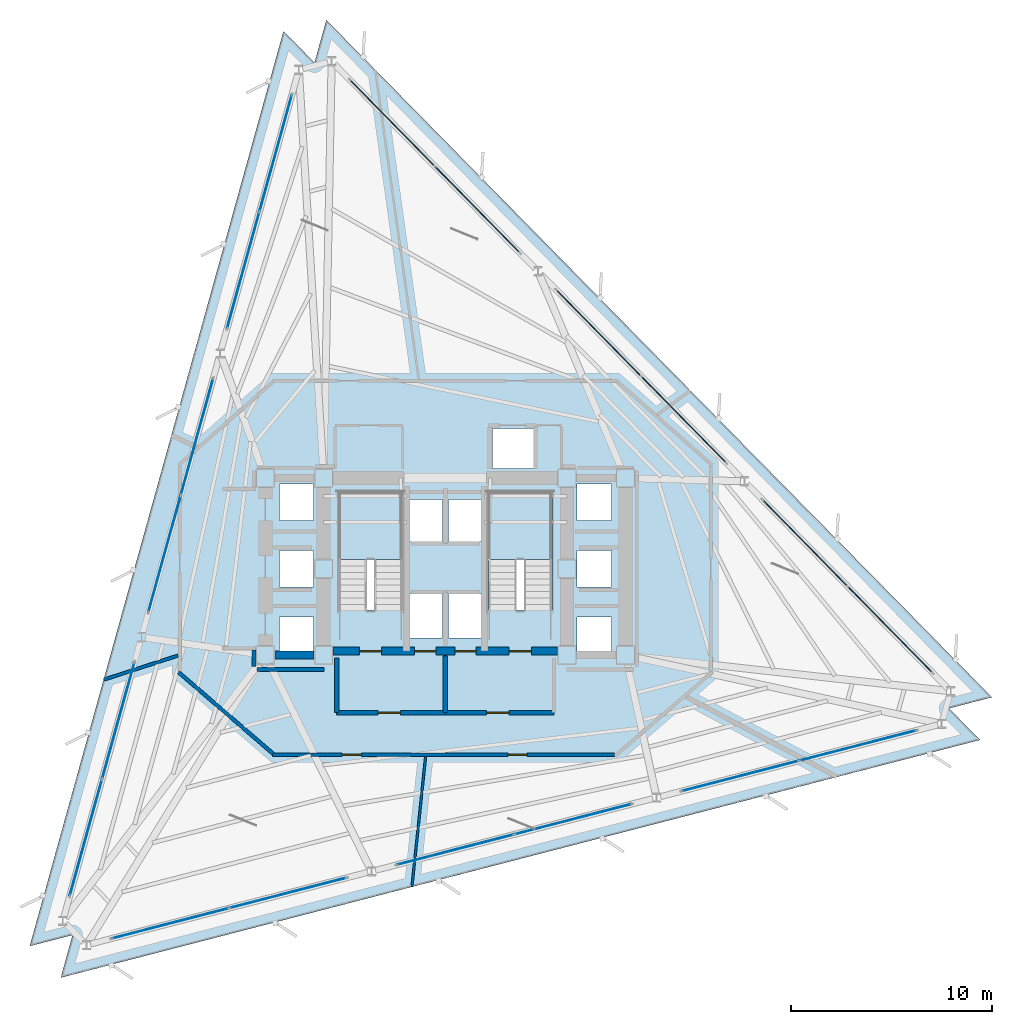
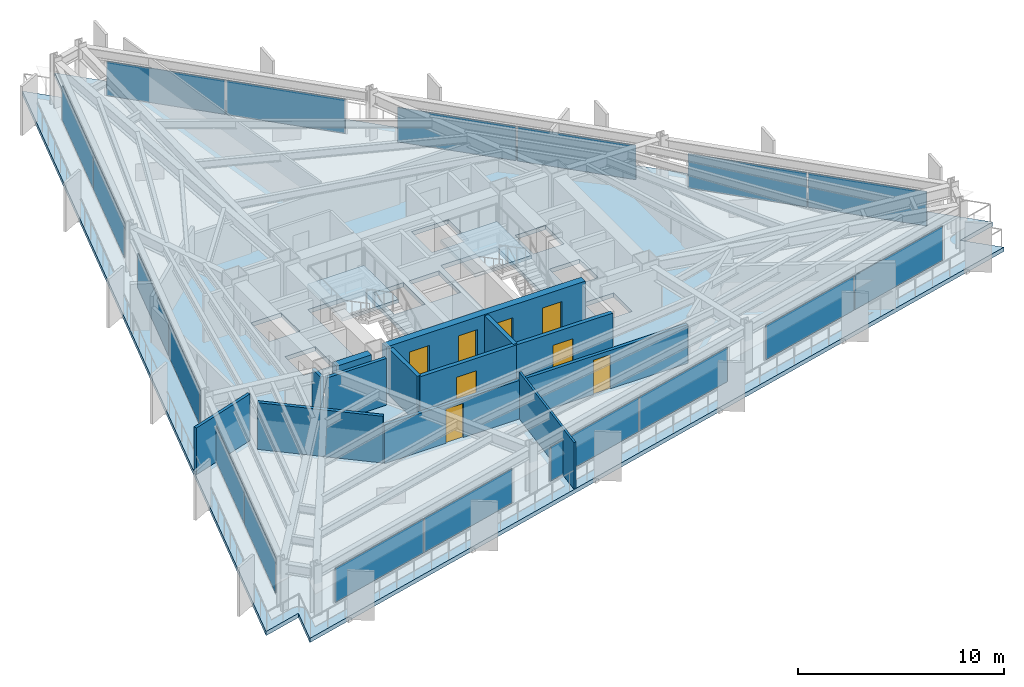
# One storey, part 6 of 11: 18 plates, 12 walls, 8 doors, 3 slabs, 8 openings, 11 elements without a shape of their own.
"""IFC4 building model written with IfcOpenShell, lengths in metres."""

from ifc_helpers import new_model, si_unit, direction, frame, frame_2d, origin, origin_2d, place, context, subcontext, project, spatial, polyline, rectangle, outline, extrude, material, layer, layer_set, type_object, element, fill, aggregate, save


model = new_model("IFC4")

# Units and contexts
model_context = context("Model", 3, precision=1e-05, world=origin(), true_north=direction((0.0, 1.0)))
body_context = subcontext(model_context, "Body", "Model", "MODEL_VIEW")
ifc_project = project(units=[si_unit("LENGTHUNIT", "METRE"), si_unit("AREAUNIT", "SQUARE_METRE"), si_unit("VOLUMEUNIT", "CUBIC_METRE"), si_unit("PLANEANGLEUNIT", "RADIAN"), si_unit("MASSUNIT", "GRAM", prefix="KILO")], contexts=[model_context])

# Site, building, storey
site_placement = place(None, origin())
site = spatial("IfcSite", under=ifc_project, at=site_placement, CompositionType="ELEMENT")
building_placement = place(site_placement, origin())
building = spatial("IfcBuilding", under=site, at=building_placement, Name="Rocaltana Carrier Exchange", CompositionType="ELEMENT")
storey_placement = place(building_placement, frame((0.0, 0.0, 85.60009765625)))
storey = spatial("IfcBuildingStorey", under=building, at=storey_placement, Name="L26", CompositionType="ELEMENT", Elevation=85.60009765625)

# Curtain wall, plates
ifc_material_1 = material(Name="Aluminium 6063-T6", Category="aluminium")
ifc_layer_1 = layer(ifc_material_1, 0.1650390625)
ifc_layer_set_1 = layer_set([ifc_layer_1], Name="Aluminium 6063-T6")
curtain_wall_type = type_object("IfcCurtainWallType", Name="Lower-Mid Stepped Curtain Wall CW-02", PredefinedType="NOTDEFINED", material=ifc_layer_set_1)
curtain_wall_1_placement = place(storey_placement, origin())
curtain_wall_1 = element("IfcCurtainWall", 1, at=curtain_wall_1_placement, inside=storey, type_object=curtain_wall_type, Name="L26 CW-02 Run CW-L26-F1S1", PredefinedType="NOTDEFINED")
ifc_material_2 = material(Name="Tempered Laminated Glass", Category="glass")
ifc_layer_2 = layer(ifc_material_2, 0.0419921875)
ifc_layer_set_2 = layer_set([ifc_layer_2], Name="Tempered Laminated Glass")
plate_type = type_object("IfcPlateType", Name="CW-02 Stone-Insulated Vision Panel", PredefinedType="CURTAIN_PANEL", material=ifc_layer_set_2)
plate_1_placement = place(storey_placement, frame((22.10400390625, -3.02490234375, 0.06494140625), z_axis=(0.0, 0.0, 1.0), x_axis=(-0.700915045542, 0.713244767898, 0.0)))
plate_1 = element("IfcPlate", 2, at=plate_1_placement, type_object=plate_type, Name="CW-02 panel 1.1", PredefinedType="CURTAIN_PANEL", context=body_context, shape_type="SweptSolid", body=[
    extrude(rectangle(XDim=5.96923828125, YDim=0.0419921875, at=origin_2d()), origin(), (0.0, 0.0, 1.0), 2.0380859375),
])
plate_2_placement = place(storey_placement, frame((17.874755859375, 1.279052734375, 0.06494140625), z_axis=(0.0, 0.0, 1.0), x_axis=(-0.700915045542, 0.713244767898, 0.0)))
plate_2 = element("IfcPlate", 3, at=plate_2_placement, type_object=plate_type, Name="CW-02 panel 2.1", PredefinedType="CURTAIN_PANEL", context=body_context, shape_type="SweptSolid", body=[
    extrude(rectangle(XDim=5.96923828125, YDim=0.0419921875, at=origin_2d()), origin(), (0.0, 0.0, 1.0), 2.0380859375),
])
aggregate(curtain_wall_1, [plate_1, plate_2])

curtain_wall_2_placement = place(storey_placement, origin())
curtain_wall_2 = element("IfcCurtainWall", 4, at=curtain_wall_2_placement, inside=storey, type_object=curtain_wall_type, Name="L26 CW-02 Run CW-L26-F1S2", PredefinedType="NOTDEFINED")
plate_3_placement = place(storey_placement, frame((11.847412109375, 7.412353515625, 0.06494140625), z_axis=(0.0, 0.0, 1.0), x_axis=(-0.700915118017, 0.713244696676, 0.0)))
plate_3 = element("IfcPlate", 5, at=plate_3_placement, type_object=plate_type, Name="CW-02 panel 1.1", PredefinedType="CURTAIN_PANEL", context=body_context, shape_type="SweptSolid", body=[
    extrude(rectangle(XDim=5.96923828125, YDim=0.0419921875, at=origin_2d()), origin(), (0.0, 0.0, 1.0), 2.0380859375),
])
plate_4_placement = place(storey_placement, frame((7.617919921875, 11.71630859375, 0.06494140625), z_axis=(0.0, 0.0, 1.0), x_axis=(-0.700915118017, 0.713244696676, 0.0)))
plate_4 = element("IfcPlate", 6, at=plate_4_placement, type_object=plate_type, Name="CW-02 panel 2.1", PredefinedType="CURTAIN_PANEL", context=body_context, shape_type="SweptSolid", body=[
    extrude(rectangle(XDim=5.96923828125, YDim=0.0419921875, at=origin_2d()), origin(), (0.0, 0.0, 1.0), 2.0380859375),
])
aggregate(curtain_wall_2, [plate_3, plate_4])

curtain_wall_3_placement = place(storey_placement, origin())
curtain_wall_3 = element("IfcCurtainWall", 7, at=curtain_wall_3_placement, inside=storey, type_object=curtain_wall_type, Name="L26 CW-02 Run CW-L26-F1S3", PredefinedType="NOTDEFINED")
plate_5_placement = place(storey_placement, frame((1.5908203125, 17.849609375, 0.06494140625), z_axis=(0.0, 0.0, 1.0), x_axis=(-0.700915045542, 0.713244767898, 0.0)))
plate_5 = element("IfcPlate", 8, at=plate_5_placement, type_object=plate_type, Name="CW-02 panel 1.1", PredefinedType="CURTAIN_PANEL", context=body_context, shape_type="SweptSolid", body=[
    extrude(rectangle(XDim=5.96923828125, YDim=0.0419921875, at=origin_2d()), origin(), (0.0, 0.0, 1.0), 2.0380859375),
])
plate_6_placement = place(storey_placement, frame((-2.638671875, 22.153564453125, 0.06494140625), z_axis=(0.0, 0.0, 1.0), x_axis=(-0.700915045542, 0.713244767898, 0.0)))
plate_6 = element("IfcPlate", 9, at=plate_6_placement, type_object=plate_type, Name="CW-02 panel 2.1", PredefinedType="CURTAIN_PANEL", context=body_context, shape_type="SweptSolid", body=[
    extrude(rectangle(XDim=5.96923828125, YDim=0.0419921875, at=origin_2d()), origin(), (0.0, 0.0, 1.0), 2.0380859375),
])
aggregate(curtain_wall_3, [plate_5, plate_6])

curtain_wall_4_placement = place(storey_placement, origin())
curtain_wall_4 = element("IfcCurtainWall", 10, at=curtain_wall_4_placement, inside=storey, type_object=curtain_wall_type, Name="L26 CW-02 Run CW-L26-F2S1", PredefinedType="NOTDEFINED")
plate_7_placement = place(storey_placement, frame((-8.432373046875, 20.655029296875, 0.06494140625), z_axis=(0.0, 0.0, 1.0), x_axis=(-0.267245546918, -0.96362846453, 0.0)))
plate_7 = element("IfcPlate", 11, at=plate_7_placement, type_object=plate_type, Name="CW-02 panel 1.1", PredefinedType="CURTAIN_PANEL", context=body_context, shape_type="SweptSolid", body=[
    extrude(rectangle(XDim=5.96923828125, YDim=0.0419921875, at=origin_2d()), origin(), (0.0, 0.0, 1.0), 2.0380859375),
])
plate_8_placement = place(storey_placement, frame((-10.045166015625, 14.84033203125, 0.06494140625), z_axis=(0.0, 0.0, 1.0), x_axis=(-0.267245546918, -0.96362846453, 0.0)))
plate_8 = element("IfcPlate", 12, at=plate_8_placement, type_object=plate_type, Name="CW-02 panel 2.1", PredefinedType="CURTAIN_PANEL", context=body_context, shape_type="SweptSolid", body=[
    extrude(rectangle(XDim=5.96923828125, YDim=0.0419921875, at=origin_2d()), origin(), (0.0, 0.0, 1.0), 2.0380859375),
])
aggregate(curtain_wall_4, [plate_7, plate_8])

curtain_wall_5_placement = place(storey_placement, origin())
curtain_wall_5 = element("IfcCurtainWall", 13, at=curtain_wall_5_placement, inside=storey, type_object=curtain_wall_type, Name="L26 CW-02 Run CW-L26-F2S2", PredefinedType="NOTDEFINED")
plate_9_placement = place(storey_placement, frame((-12.343017578125, 6.553955078125, 0.06494140625), z_axis=(0.0, 0.0, 1.0), x_axis=(-0.267237893807, -0.963630586954, 0.0)))
plate_9 = element("IfcPlate", 14, at=plate_9_placement, type_object=plate_type, Name="CW-02 panel 1.1", PredefinedType="CURTAIN_PANEL", context=body_context, shape_type="SweptSolid", body=[
    extrude(rectangle(XDim=5.96923828125, YDim=0.0419921875, at=origin_2d()), origin(), (0.0, 0.0, 1.0), 2.0380859375),
])
plate_10_placement = place(storey_placement, frame((-13.95556640625, 0.7392578125, 0.06494140625), z_axis=(0.0, 0.0, 1.0), x_axis=(-0.267237893807, -0.963630586954, 0.0)))
plate_10 = element("IfcPlate", 15, at=plate_10_placement, type_object=plate_type, Name="CW-02 panel 2.1", PredefinedType="CURTAIN_PANEL", context=body_context, shape_type="SweptSolid", body=[
    extrude(rectangle(XDim=5.96923828125, YDim=0.0419921875, at=origin_2d()), origin(), (0.0, 0.0, 1.0), 2.0380859375),
])
aggregate(curtain_wall_5, [plate_9, plate_10])

curtain_wall_6_placement = place(storey_placement, origin())
curtain_wall_6 = element("IfcCurtainWall", 16, at=curtain_wall_6_placement, inside=storey, type_object=curtain_wall_type, Name="L26 CW-02 Run CW-L26-F2S3", PredefinedType="NOTDEFINED")
plate_11_placement = place(storey_placement, frame((-16.253662109375, -7.547119140625, 0.06494140625), z_axis=(0.0, 0.0, 1.0), x_axis=(-0.267243424491, -0.963629053146, 0.0)))
plate_11 = element("IfcPlate", 17, at=plate_11_placement, type_object=plate_type, Name="CW-02 panel 1.1", PredefinedType="CURTAIN_PANEL", context=body_context, shape_type="SweptSolid", body=[
    extrude(rectangle(XDim=5.96923828125, YDim=0.0419921875, at=origin_2d()), origin(), (0.0, 0.0, 1.0), 2.0380859375),
])
plate_12_placement = place(storey_placement, frame((-17.8662109375, -13.36181640625, 0.06494140625), z_axis=(0.0, 0.0, 1.0), x_axis=(-0.267243424491, -0.963629053146, 0.0)))
plate_12 = element("IfcPlate", 18, at=plate_12_placement, type_object=plate_type, Name="CW-02 panel 2.1", PredefinedType="CURTAIN_PANEL", context=body_context, shape_type="SweptSolid", body=[
    extrude(rectangle(XDim=5.96923828125, YDim=0.0419921875, at=origin_2d()), origin(), (0.0, 0.0, 1.0), 2.0380859375),
])
aggregate(curtain_wall_6, [plate_11, plate_12])

curtain_wall_7_placement = place(storey_placement, origin())
curtain_wall_7 = element("IfcCurtainWall", 19, at=curtain_wall_7_placement, inside=storey, type_object=curtain_wall_type, Name="L26 CW-02 Run CW-L26-F3S1", PredefinedType="NOTDEFINED")
plate_13_placement = place(storey_placement, frame((-13.671630859375, -17.63037109375, 0.06494140625), z_axis=(0.0, 0.0, 1.0), x_axis=(0.968148220548, 0.250377760692, 0.0)))
plate_13 = element("IfcPlate", 20, at=plate_13_placement, type_object=plate_type, Name="CW-02 panel 1.1", PredefinedType="CURTAIN_PANEL", context=body_context, shape_type="SweptSolid", body=[
    extrude(rectangle(XDim=5.96923828125, YDim=0.0419921875, at=origin_2d()), origin(), (0.0, 0.0, 1.0), 2.0380859375),
])
plate_14_placement = place(storey_placement, frame((-7.82958984375, -16.119384765625, 0.06494140625), z_axis=(0.0, 0.0, 1.0), x_axis=(0.968148220548, 0.250377760692, 0.0)))
plate_14 = element("IfcPlate", 21, at=plate_14_placement, type_object=plate_type, Name="CW-02 panel 2.1", PredefinedType="CURTAIN_PANEL", context=body_context, shape_type="SweptSolid", body=[
    extrude(rectangle(XDim=5.96923828125, YDim=0.0419921875, at=origin_2d()), origin(), (0.0, 0.0, 1.0), 2.0380859375),
])
aggregate(curtain_wall_7, [plate_13, plate_14])

curtain_wall_8_placement = place(storey_placement, origin())
curtain_wall_8 = element("IfcCurtainWall", 22, at=curtain_wall_8_placement, inside=storey, type_object=curtain_wall_type, Name="L26 CW-02 Run CW-L26-F3S2", PredefinedType="NOTDEFINED")
plate_15_placement = place(storey_placement, frame((0.49560546875, -13.96630859375, 0.06494140625), z_axis=(0.0, 0.0, 1.0), x_axis=(0.968148220548, 0.250377760692, 0.0)))
plate_15 = element("IfcPlate", 23, at=plate_15_placement, type_object=plate_type, Name="CW-02 panel 1.1", PredefinedType="CURTAIN_PANEL", context=body_context, shape_type="SweptSolid", body=[
    extrude(rectangle(XDim=5.96923828125, YDim=0.0419921875, at=origin_2d()), origin(), (0.0, 0.0, 1.0), 2.0380859375),
])
plate_16_placement = place(storey_placement, frame((6.337646484375, -12.45556640625, 0.06494140625), z_axis=(0.0, 0.0, 1.0), x_axis=(0.968148220548, 0.250377760692, 0.0)))
plate_16 = element("IfcPlate", 24, at=plate_16_placement, type_object=plate_type, Name="CW-02 panel 2.1", PredefinedType="CURTAIN_PANEL", context=body_context, shape_type="SweptSolid", body=[
    extrude(rectangle(XDim=5.96923828125, YDim=0.0419921875, at=origin_2d()), origin(), (0.0, 0.0, 1.0), 2.0380859375),
])
aggregate(curtain_wall_8, [plate_15, plate_16])

curtain_wall_9_placement = place(storey_placement, origin())
curtain_wall_9 = element("IfcCurtainWall", 25, at=curtain_wall_9_placement, inside=storey, type_object=curtain_wall_type, Name="L26 CW-02 Run CW-L26-F3S3", PredefinedType="NOTDEFINED")
plate_17_placement = place(storey_placement, frame((14.662841796875, -10.302490234375, 0.06494140625), z_axis=(0.0, 0.0, 1.0), x_axis=(0.96815021836, 0.250370035526, 0.0)))
plate_17 = element("IfcPlate", 26, at=plate_17_placement, type_object=plate_type, Name="CW-02 panel 1.1", PredefinedType="CURTAIN_PANEL", context=body_context, shape_type="SweptSolid", body=[
    extrude(rectangle(XDim=5.96923828125, YDim=0.0419921875, at=origin_2d()), origin(), (0.0, 0.0, 1.0), 2.0380859375),
])
plate_18_placement = place(storey_placement, frame((20.5048828125, -8.791748046875, 0.06494140625), z_axis=(0.0, 0.0, 1.0), x_axis=(0.96815021836, 0.250370035526, 0.0)))
plate_18 = element("IfcPlate", 27, at=plate_18_placement, type_object=plate_type, Name="CW-02 panel 2.1", PredefinedType="CURTAIN_PANEL", context=body_context, shape_type="SweptSolid", body=[
    extrude(rectangle(XDim=5.96923828125, YDim=0.0419921875, at=origin_2d()), origin(), (0.0, 0.0, 1.0), 2.0380859375),
])
aggregate(curtain_wall_9, [plate_17, plate_18])

# Slab
ifc_material_3 = material(Name="Concrete C50/60", Category="concrete")
ifc_layer_3 = layer(ifc_material_3, 0.25)
ifc_layer_set_3 = layer_set([ifc_layer_3], Name="Concrete C50/60")
slab_type_1 = type_object("IfcSlabType", Name="Mid-Zone Tower Slab 250", PredefinedType="FLOOR", material=ifc_layer_set_3)
slab_1_placement = place(storey_placement, frame((0.0, 0.0, -0.25)))
element("IfcSlab", 28, at=slab_1_placement, inside=storey, type_object=slab_type_1, Name="L26 Structural Floor Slab", PredefinedType="FLOOR", context=body_context, shape_type="SweptSolid", body=[
    extrude(outline(polyline([(26.577880859375, -8.51220703125), (25.035888671875, -6.943115234375), (27.165771484375, -6.39208984375), (-5.9169921875, 27.273193359375), (-6.505126953125, 25.1533203125), (-8.047119140625, 26.722412109375), (-20.66064453125, -18.760986328125), (-18.53076171875, -18.210205078125), (-19.11865234375, -20.330078125), (26.577880859375, -8.51220703125)]), holes=[polyline([(-5.300048828125, -2.06005859375), (-2.139892578125, -2.06005859375), (-2.139892578125, 3.800048828125), (-5.300048828125, 3.800048828125), (-5.300048828125, -2.06005859375)]), polyline([(2.139892578125, -2.06005859375), (5.300048828125, -2.06005859375), (5.300048828125, 3.800048828125), (2.139892578125, 3.800048828125), (2.139892578125, -2.06005859375)]), polyline([(-1.85009765625, -3.449951171875), (-0.14990234375, -3.449951171875), (-0.14990234375, -1.25), (-1.85009765625, -1.25), (-1.85009765625, -3.449951171875)]), polyline([(0.14990234375, -3.449951171875), (1.85009765625, -3.449951171875), (1.85009765625, -1.25), (0.14990234375, -1.25), (0.14990234375, -3.449951171875)]), polyline([(2.35009765625, 4.97998046875), (4.39990234375, 4.97998046875), (4.39990234375, 6.97998046875), (2.35009765625, 6.97998046875), (2.35009765625, 4.97998046875)]), polyline([(-1.85009765625, 1.35009765625), (-0.14990234375, 1.35009765625), (-0.14990234375, 3.449951171875), (-1.85009765625, 3.449951171875), (-1.85009765625, 1.35009765625)]), polyline([(0.14990234375, 1.35009765625), (1.85009765625, 1.35009765625), (1.85009765625, 3.449951171875), (0.14990234375, 3.449951171875), (0.14990234375, 1.35009765625)]), polyline([(-8.25, -4.199951171875), (-6.550048828125, -4.199951171875), (-6.550048828125, -2.39990234375), (-8.25, -2.39990234375), (-8.25, -4.199951171875)]), polyline([(-8.25, -0.89990234375), (-6.550048828125, -0.89990234375), (-6.550048828125, 0.89990234375), (-8.25, 0.89990234375), (-8.25, -0.89990234375)]), polyline([(-8.25, 2.39990234375), (-6.550048828125, 2.39990234375), (-6.550048828125, 4.199951171875), (-8.25, 4.199951171875), (-8.25, 2.39990234375)]), polyline([(6.550048828125, -4.199951171875), (8.25, -4.199951171875), (8.25, -2.39990234375), (6.550048828125, -2.39990234375), (6.550048828125, -4.199951171875)]), polyline([(6.550048828125, -0.89990234375), (8.25, -0.89990234375), (8.25, 0.89990234375), (6.550048828125, 0.89990234375), (6.550048828125, -0.89990234375)]), polyline([(6.550048828125, 2.39990234375), (8.25, 2.39990234375), (8.25, 4.199951171875), (6.550048828125, 4.199951171875), (6.550048828125, 2.39990234375)])]), origin(), (0.0, 0.0, 1.0), 0.25),
])

# Stair, slab
ifc_material_4 = material(Name="Precast concrete C45/55", Category="concrete")
stair_type = type_object("IfcStairType", Name="Standard Dog-Leg Stair 160", PredefinedType="HALF_TURN_STAIR", material=ifc_material_4)
stair_1_placement = place(storey_placement, origin())
stair_1 = element("IfcStair", 29, at=stair_1_placement, inside=storey, type_object=stair_type, Name="L26 Core West Exit Stair ST-1", PredefinedType="HALF_TURN_STAIR")
ifc_material_5 = material(Name="Precast concrete C45/55", Category="concrete")
ifc_layer_4 = layer(ifc_material_5, 0.199951171875)
ifc_layer_set_4 = layer_set([ifc_layer_4], Name="Precast concrete C45/55")
slab_type_2 = type_object("IfcSlabType", Name="Precast Stair Half-Landing 200", PredefinedType="LANDING", material=ifc_layer_set_4)
slab_2_placement = place(storey_placement, frame((0.0, 0.0, 1.31982421875)))
slab_2 = element("IfcSlab", 30, at=slab_2_placement, type_object=slab_type_2, Name="ST-1 landing 1", PredefinedType="LANDING", context=body_context, shape_type="SweptSolid", body=[
    extrude(outline(polyline([(-2.139892578125, 0.4599609375), (-2.139892578125, 3.800048828125), (-5.300048828125, 3.800048828125), (-5.300048828125, 0.4599609375), (-2.139892578125, 0.4599609375)])), origin(), (0.0, 0.0, 1.0), 0.2001953125),
])
aggregate(stair_1, [slab_2])

stair_2_placement = place(storey_placement, origin())
stair_2 = element("IfcStair", 31, at=stair_2_placement, inside=storey, type_object=stair_type, Name="L26 Core East Exit Stair ST-2", PredefinedType="HALF_TURN_STAIR")
slab_3_placement = place(storey_placement, frame((0.0, 0.0, 1.31982421875)))
slab_3 = element("IfcSlab", 32, at=slab_3_placement, type_object=slab_type_2, Name="ST-2 landing 1", PredefinedType="LANDING", context=body_context, shape_type="SweptSolid", body=[
    extrude(outline(polyline([(5.300048828125, 0.4599609375), (5.300048828125, 3.800048828125), (2.139892578125, 3.800048828125), (2.139892578125, 0.4599609375), (5.300048828125, 0.4599609375)])), origin(), (0.0, 0.0, 1.0), 0.2001953125),
])
aggregate(stair_2, [slab_3])

# Wall
ifc_material_6 = material(Name="Double Acoustic Gypsum Partition", Category="gypsum")
ifc_layer_5 = layer(ifc_material_6, 0.159912109375)
ifc_layer_set_5 = layer_set([ifc_layer_5], Name="Double Acoustic Gypsum Partition")
wall_type_1 = type_object("IfcWallType", Name="Acoustic Studio Partition 160 EI60", PredefinedType="PARTITIONING", material=ifc_layer_set_5)
wall_1_placement = place(storey_placement, frame((-13.280029296875, -4.31494140625, 0.0), z_axis=(0.0, 0.0, 1.0), x_axis=(-0.951067292341, -0.308983827147, 0.0)))
element("IfcWall", 33, at=wall_1_placement, inside=storey, type_object=wall_type_1, Name="L26 Suite Divider Wall D1", PredefinedType="PARTITIONING", context=body_context, shape_type="SweptSolid", body=[
    extrude(rectangle(XDim=3.887451171875, YDim=0.159912109375, at=frame_2d((1.94384765625, 0.0))), origin(), (0.0, 0.0, 1.0), 2.762939453125),
])

# Wall, openings, doors
ifc_material_7 = material(Name="Concrete C50/60", Category="concrete")
ifc_layer_6 = layer(ifc_material_7, 0.39990234375)
ifc_layer_set_6 = layer_set([ifc_layer_6], Name="Concrete C50/60")
wall_type_2 = type_object("IfcWallType", Name="Core Internal Shear Wall 400", PredefinedType="SHEAR", material=ifc_layer_set_6)
wall_2_placement = place(storey_placement, frame((-5.574951171875, -4.10009765625, 0.0), z_axis=(0.0, 0.0, 1.0), x_axis=(1.0, 0.0, 0.0)))
wall_2 = element("IfcWall", 34, at=wall_2_placement, inside=storey, type_object=wall_type_2, Name="L26 Core Shear Wall CW-S", PredefinedType="SHEAR", context=body_context, shape_type="SweptSolid", body=[
    extrude(rectangle(XDim=11.14990234375, YDim=0.39990234375, at=frame_2d((5.574951171875, 0.0))), origin(), (0.0, 0.0, 1.0), 2.787841796875),
])
opening_1_placement = place(wall_2_placement, frame((1.304931640625, 0.0, 0.0)))
opening_1 = element("IfcOpeningElement", 35, at=opening_1_placement, cuts=wall_2, Name="Opening D-ST110", PredefinedType="OPENING", context=body_context, shape_type="SweptSolid", body=[
    extrude(rectangle(XDim=1.10009765625, YDim=2.0400390625, at=frame_2d((0.550048828125, 1.02001953125))), frame((0.0, 0.2099609375, 0.0), z_axis=(0.0, -1.0, 0.0), x_axis=(1.0, 0.0, 0.0)), (0.0, 0.0, 1.0), 0.419921875),
])
opening_2_placement = place(wall_2_placement, frame((8.7451171875, 0.0, 0.0)))
opening_2 = element("IfcOpeningElement", 36, at=opening_2_placement, cuts=wall_2, Name="Opening D-ST110", PredefinedType="OPENING", context=body_context, shape_type="SweptSolid", body=[
    extrude(rectangle(XDim=1.10009765625, YDim=2.0400390625, at=frame_2d((0.550048828125, 1.02001953125))), frame((0.0, 0.2099609375, 0.0), z_axis=(0.0, -1.0, 0.0), x_axis=(1.0, 0.0, 0.0)), (0.0, 0.0, 1.0), 0.419921875),
])
opening_3_placement = place(wall_2_placement, frame((4.044921875, 0.0, 0.0)))
opening_3 = element("IfcOpeningElement", 37, at=opening_3_placement, cuts=wall_2, Name="Opening LD-110", PredefinedType="OPENING", context=body_context, shape_type="SweptSolid", body=[
    extrude(rectangle(XDim=1.06005859375, YDim=2.0400390625, at=frame_2d((0.530029296875, 1.02001953125))), frame((0.0, 0.2099609375, 0.0), z_axis=(0.0, -1.0, 0.0), x_axis=(1.0, 0.0, 0.0)), (0.0, 0.0, 1.0), 0.419921875),
])
opening_4_placement = place(wall_2_placement, frame((6.044921875, 0.0, 0.0)))
opening_4 = element("IfcOpeningElement", 38, at=opening_4_placement, cuts=wall_2, Name="Opening LD-110", PredefinedType="OPENING", context=body_context, shape_type="SweptSolid", body=[
    extrude(rectangle(XDim=1.06005859375, YDim=2.0400390625, at=frame_2d((0.530029296875, 1.02001953125))), frame((0.0, 0.2099609375, 0.0), z_axis=(0.0, -1.0, 0.0), x_axis=(1.0, 0.0, 0.0)), (0.0, 0.0, 1.0), 0.419921875),
])
ifc_material_8 = material(Name="Hollow Metal Fire Door Assembly", Category="steel")
door_type_1 = type_object("IfcDoorType", Name="Exit Stair Fire Door 1100x2040 FD90S", OperationType="NOTDEFINED", PredefinedType="DOOR", material=ifc_material_8)
door_1_placement = place(opening_1_placement, origin())
door_1 = element("IfcDoor", 39, at=door_1_placement, inside=storey, type_object=door_type_1, Name="L26 Exit Stair ST1 Fire Door", OperationType="SINGLE_SWING_RIGHT", OverallHeight=2.0400390625, OverallWidth=1.10009765625, PredefinedType="DOOR", context=body_context, shape_type="SweptSolid", body=[
    extrude(rectangle(XDim=1.10009765625, YDim=2.0400390625, at=frame_2d((0.550048828125, 1.02001953125))), frame((0.0, 0.02490234375, 0.0), z_axis=(0.0, -1.0, 0.0), x_axis=(1.0, 0.0, 0.0)), (0.0, 0.0, 1.0), 0.050048828125),
])
fill(opening_1, door_1)
door_2_placement = place(opening_2_placement, origin())
door_2 = element("IfcDoor", 40, at=door_2_placement, inside=storey, type_object=door_type_1, Name="L26 Exit Stair ST2 Fire Door", OperationType="SINGLE_SWING_LEFT", OverallHeight=2.0400390625, OverallWidth=1.10009765625, PredefinedType="DOOR", context=body_context, shape_type="SweptSolid", body=[
    extrude(rectangle(XDim=1.10009765625, YDim=2.0400390625, at=frame_2d((0.550048828125, 1.02001953125))), frame((0.0, 0.02490234375, 0.0), z_axis=(0.0, -1.0, 0.0), x_axis=(1.0, 0.0, 0.0)), (0.0, 0.0, 1.0), 0.050048828125),
])
fill(opening_2, door_2)
ifc_material_9 = material(Name="Brushed Stainless Sliding Door Leaf", Category="steel")
door_type_2 = type_object("IfcDoorType", Name="Lift Landing Sliding Door 1060x2040", OperationType="NOTDEFINED", PredefinedType="DOOR", material=ifc_material_9)
door_3_placement = place(opening_3_placement, origin())
door_3 = element("IfcDoor", 41, at=door_3_placement, inside=storey, type_object=door_type_2, Name="L26 Firefighting Lift FFL1 Landing Door", OperationType="SLIDING_TO_LEFT", OverallHeight=2.0400390625, OverallWidth=1.06005859375, PredefinedType="DOOR", context=body_context, shape_type="SweptSolid", body=[
    extrude(rectangle(XDim=1.06005859375, YDim=2.0400390625, at=frame_2d((0.530029296875, 1.02001953125))), frame((0.0, 0.02490234375, 0.0), z_axis=(0.0, -1.0, 0.0), x_axis=(1.0, 0.0, 0.0)), (0.0, 0.0, 1.0), 0.050048828125),
])
fill(opening_3, door_3)
door_4_placement = place(opening_4_placement, origin())
door_4 = element("IfcDoor", 42, at=door_4_placement, inside=storey, type_object=door_type_2, Name="L26 Firefighting Lift FFL2 Landing Door", OperationType="SLIDING_TO_RIGHT", OverallHeight=2.0400390625, OverallWidth=1.06005859375, PredefinedType="DOOR", context=body_context, shape_type="SweptSolid", body=[
    extrude(rectangle(XDim=1.06005859375, YDim=2.0400390625, at=frame_2d((0.530029296875, 1.02001953125))), frame((0.0, 0.02490234375, 0.0), z_axis=(0.0, -1.0, 0.0), x_axis=(1.0, 0.0, 0.0)), (0.0, 0.0, 1.0), 0.050048828125),
])
fill(opening_4, door_4)

# Wall
wall_3_placement = place(storey_placement, frame((-8.47509765625, -4.300048828125, 0.0), z_axis=(0.0, 0.0, 1.0), x_axis=(1.0, 0.0, 0.0)))
element("IfcWall", 43, at=wall_3_placement, inside=storey, type_object=wall_type_2, Name="L26 Core Shear Wall CW-WWS", PredefinedType="SHEAR", context=body_context, shape_type="SweptSolid", body=[
    extrude(rectangle(XDim=1.9501953125, YDim=0.39990234375, at=frame_2d((0.97509765625, 0.0))), origin(), (0.0, 0.0, 1.0), 2.787841796875),
])

# Wall, openings, doors
ifc_material_10 = material(Name="Gypsum & Steel Stud Partition", Category="steel")
ifc_layer_7 = layer(ifc_material_10, 0.179931640625)
ifc_layer_set_7 = layer_set([ifc_layer_7], Name="Gypsum & Steel Stud Partition")
wall_type_3 = type_object("IfcWallType", Name="Corridor Fire Partition 180 EI60", PredefinedType="PARTITIONING", material=ifc_layer_set_7)
wall_4_placement = place(storey_placement, frame((8.409912109375, -9.25, 0.0), z_axis=(0.0, 0.0, 1.0), x_axis=(-1.0, 0.0, 0.0)))
wall_4 = element("IfcWall", 44, at=wall_4_placement, inside=storey, type_object=wall_type_3, Name="L26 Corridor Partition 5", PredefinedType="PARTITIONING", context=body_context, shape_type="SweptSolid", body=[
    extrude(rectangle(XDim=17.0, YDim=0.179931640625, at=frame_2d((8.5, 0.0))), origin(), (0.0, 0.0, 1.0), 2.27685546875),
])
opening_5_placement = place(wall_4_placement, frame((12.58544921875, 0.0, 0.0)))
opening_5 = element("IfcOpeningElement", 45, at=opening_5_placement, cuts=wall_4, Name="Opening D-RM098", PredefinedType="OPENING", context=body_context, shape_type="SweptSolid", body=[
    extrude(rectangle(XDim=0.9599609375, YDim=2.02001953125, at=frame_2d((0.47998046875, 1.010009765625))), frame((0.0, 0.099853515625, 0.0), z_axis=(0.0, -1.0, 0.0), x_axis=(1.0, 0.0, 0.0)), (0.0, 0.0, 1.0), 0.199951171875),
])
opening_6_placement = place(wall_4_placement, frame((4.34521484375, 0.0, 0.0)))
opening_6 = element("IfcOpeningElement", 46, at=opening_6_placement, cuts=wall_4, Name="Opening D-RM098", PredefinedType="OPENING", context=body_context, shape_type="SweptSolid", body=[
    extrude(rectangle(XDim=0.9599609375, YDim=2.02001953125, at=frame_2d((0.47998046875, 1.010009765625))), frame((0.0, 0.099853515625, 0.0), z_axis=(0.0, -1.0, 0.0), x_axis=(1.0, 0.0, 0.0)), (0.0, 0.0, 1.0), 0.199951171875),
])
ifc_material_11 = material(Name="Engineered Hardwood Timber", Category="wood")
door_type_3 = type_object("IfcDoorType", Name="Workspace Single Door 960x2020", OperationType="NOTDEFINED", PredefinedType="DOOR", material=ifc_material_11)
door_5_placement = place(opening_5_placement, origin())
door_5 = element("IfcDoor", 47, at=door_5_placement, inside=storey, type_object=door_type_3, Name="L26 Quiet Focus Lounge Entrance Door", OperationType="SINGLE_SWING_LEFT", OverallHeight=2.02001953125, OverallWidth=0.9599609375, PredefinedType="DOOR", context=body_context, shape_type="SweptSolid", body=[
    extrude(rectangle(XDim=0.9599609375, YDim=2.02001953125, at=frame_2d((0.47998046875, 1.010009765625))), frame((0.0, 0.02490234375, 0.0), z_axis=(0.0, -1.0, 0.0), x_axis=(1.0, 0.0, 0.0)), (0.0, 0.0, 1.0), 0.050048828125),
])
fill(opening_5, door_5)
door_6_placement = place(opening_6_placement, origin())
door_6 = element("IfcDoor", 48, at=door_6_placement, inside=storey, type_object=door_type_3, Name="L26 Cloud Architecture Office Entrance Door", OperationType="SINGLE_SWING_RIGHT", OverallHeight=2.02001953125, OverallWidth=0.9599609375, PredefinedType="DOOR", context=body_context, shape_type="SweptSolid", body=[
    extrude(rectangle(XDim=0.9599609375, YDim=2.02001953125, at=frame_2d((0.47998046875, 1.010009765625))), frame((0.0, 0.02490234375, 0.0), z_axis=(0.0, -1.0, 0.0), x_axis=(1.0, 0.0, 0.0)), (0.0, 0.0, 1.0), 0.050048828125),
])
fill(opening_6, door_6)

# Walls
wall_5_placement = place(storey_placement, frame((-8.568115234375, -9.191162109375, 0.0), z_axis=(0.0, 0.0, 1.0), x_axis=(-0.757556899173, 0.652769135694, 0.0)))
element("IfcWall", 49, at=wall_5_placement, inside=storey, type_object=wall_type_3, Name="L26 Corridor Partition 6", PredefinedType="PARTITIONING", context=body_context, shape_type="SweptSolid", body=[
    extrude(rectangle(XDim=6.204345703125, YDim=0.179931640625, at=frame_2d((3.10205078125, 0.0))), origin(), (0.0, 0.0, 1.0), 2.762939453125),
])
wall_6_placement = place(storey_placement, frame((-9.510009765625, -4.050048828125, 0.0), z_axis=(0.0, 0.0, 1.0), x_axis=(0.0, -1.0, 0.0)))
element("IfcWall", 50, at=wall_6_placement, inside=storey, type_object=wall_type_3, Name="L26 Corridor Partition 12", PredefinedType="PARTITIONING", context=body_context, shape_type="SweptSolid", body=[
    extrude(rectangle(XDim=0.820068359375, YDim=0.179931640625, at=frame_2d((0.41015625, 0.0))), origin(), (0.0, 0.0, 1.0), 2.762939453125),
])
wall_7_placement = place(storey_placement, frame((-9.3701171875, -5.010009765625, 0.0), z_axis=(0.0, 0.0, 1.0), x_axis=(1.0, 0.0, 0.0)))
element("IfcWall", 51, at=wall_7_placement, inside=storey, type_object=wall_type_3, Name="L26 Corridor Partition 13", PredefinedType="PARTITIONING", context=body_context, shape_type="SweptSolid", body=[
    extrude(rectangle(XDim=3.340087890625, YDim=0.179931640625, at=frame_2d((1.669921875, 0.0))), origin(), (0.0, 0.0, 1.0), 2.762939453125),
])
ifc_material_12 = material(Name="Aluminium 6063-T6 & Acoustic Glass", Category="aluminium")
ifc_layer_8 = layer(ifc_material_12, 0.114990234375)
ifc_layer_set_8 = layer_set([ifc_layer_8], Name="Aluminium 6063-T6 & Acoustic Glass")
wall_type_4 = type_object("IfcWallType", Name="Demountable Glazed Lab Partition 115", PredefinedType="MOVABLE", material=ifc_layer_set_8)
wall_8_placement = place(storey_placement, frame((-0.980712890625, -9.330078125, 0.0), z_axis=(0.0, 0.0, 1.0), x_axis=(-0.10451105245, -0.994523725165, 0.0)))
element("IfcWall", 52, at=wall_8_placement, inside=storey, type_object=wall_type_4, Name="L26 Suite Divider Wall D2", PredefinedType="MOVABLE", context=body_context, shape_type="SweptSolid", body=[
    extrude(rectangle(XDim=6.510498046875, YDim=0.114990234375, at=frame_2d((3.25537109375, 0.0))), origin(), (0.0, 0.0, 1.0), 2.762939453125),
])
ifc_material_13 = material(Name="Autoclaved Aerated Concrete C30/37", Category="concrete")
ifc_layer_9 = layer(ifc_material_13, 0.219970703125)
ifc_layer_set_9 = layer_set([ifc_layer_9], Name="Autoclaved Aerated Concrete C30/37")
wall_type_5 = type_object("IfcWallType", Name="Firefighting Lobby Wall 220 EI120", PredefinedType="PARTITIONING", material=ifc_layer_set_9)
wall_9_placement = place(storey_placement, frame((-5.39990234375, -7.159912109375, 0.0), z_axis=(0.0, 0.0, 1.0), x_axis=(0.0, 1.0, 0.0)))
element("IfcWall", 53, at=wall_9_placement, inside=storey, type_object=wall_type_5, Name="L26 FFL Lobby 1 West Wall", PredefinedType="PARTITIONING", context=body_context, shape_type="SweptSolid", body=[
    extrude(rectangle(XDim=2.7099609375, YDim=0.219970703125, at=frame_2d((1.35498046875, 0.0))), origin(), (0.0, 0.0, 1.0), 2.762939453125),
])
wall_10_placement = place(storey_placement, frame((0.0, -7.159912109375, 0.0), z_axis=(0.0, 0.0, 1.0), x_axis=(0.0, 1.0, 0.0)))
element("IfcWall", 54, at=wall_10_placement, inside=storey, type_object=wall_type_5, Name="L26 FFL Lobby Centre Wall", PredefinedType="PARTITIONING", context=body_context, shape_type="SweptSolid", body=[
    extrude(rectangle(XDim=2.809814453125, YDim=0.219970703125, at=frame_2d((1.40478515625, 0.0))), origin(), (0.0, 0.0, 1.0), 2.762939453125),
])

# Wall, opening, door
wall_11_placement = place(storey_placement, frame((-5.39990234375, -7.159912109375, 0.0), z_axis=(0.0, 0.0, 1.0), x_axis=(1.0, 0.0, 0.0)))
wall_11 = element("IfcWall", 55, at=wall_11_placement, inside=storey, type_object=wall_type_5, Name="L26 FFL Lobby 1 South Wall", PredefinedType="PARTITIONING", context=body_context, shape_type="SweptSolid", body=[
    extrude(rectangle(XDim=5.39990234375, YDim=0.219970703125, at=frame_2d((2.699951171875, 0.0))), origin(), (0.0, 0.0, 1.0), 2.762939453125),
])
opening_7_placement = place(wall_11_placement, frame((2.050048828125, 0.0, 0.0)))
opening_7 = element("IfcOpeningElement", 56, at=opening_7_placement, cuts=wall_11, Name="Opening D-FF115", PredefinedType="OPENING", context=body_context, shape_type="SweptSolid", body=[
    extrude(rectangle(XDim=1.1201171875, YDim=2.02001953125, at=frame_2d((0.56005859375, 1.010009765625))), frame((0.0, 0.119873046875, 0.0), z_axis=(0.0, -1.0, 0.0), x_axis=(1.0, 0.0, 0.0)), (0.0, 0.0, 1.0), 0.239990234375),
])
ifc_material_14 = material(Name="Hollow Metal Fire Door Assembly", Category="steel")
door_type_4 = type_object("IfcDoorType", Name="Firefighting Lobby Door 1120x2020 FD60S", OperationType="NOTDEFINED", PredefinedType="DOOR", material=ifc_material_14)
door_7_placement = place(opening_7_placement, origin())
door_7 = element("IfcDoor", 57, at=door_7_placement, inside=storey, type_object=door_type_4, Name="L26 Firefighting Lift Lobby 1 Door", OperationType="SINGLE_SWING_RIGHT", OverallHeight=2.02001953125, OverallWidth=1.1201171875, PredefinedType="DOOR", context=body_context, shape_type="SweptSolid", body=[
    extrude(rectangle(XDim=1.1201171875, YDim=2.02001953125, at=frame_2d((0.56005859375, 1.010009765625))), frame((0.0, 0.02490234375, 0.0), z_axis=(0.0, -1.0, 0.0), x_axis=(1.0, 0.0, 0.0)), (0.0, 0.0, 1.0), 0.050048828125),
])
fill(opening_7, door_7)

wall_12_placement = place(storey_placement, frame((0.0, -7.159912109375, 0.0), z_axis=(0.0, 0.0, 1.0), x_axis=(1.0, 0.0, 0.0)))
wall_12 = element("IfcWall", 58, at=wall_12_placement, inside=storey, type_object=wall_type_5, Name="L26 FFL Lobby 2 South Wall", PredefinedType="PARTITIONING", context=body_context, shape_type="SweptSolid", body=[
    extrude(rectangle(XDim=5.39990234375, YDim=0.219970703125, at=frame_2d((2.699951171875, 0.0))), origin(), (0.0, 0.0, 1.0), 2.762939453125),
])
opening_8_placement = place(wall_12_placement, frame((2.050048828125, 0.0, 0.0)))
opening_8 = element("IfcOpeningElement", 59, at=opening_8_placement, cuts=wall_12, Name="Opening D-FF115", PredefinedType="OPENING", context=body_context, shape_type="SweptSolid", body=[
    extrude(rectangle(XDim=1.1201171875, YDim=2.02001953125, at=frame_2d((0.56005859375, 1.010009765625))), frame((0.0, 0.119873046875, 0.0), z_axis=(0.0, -1.0, 0.0), x_axis=(1.0, 0.0, 0.0)), (0.0, 0.0, 1.0), 0.239990234375),
])
door_8_placement = place(opening_8_placement, origin())
door_8 = element("IfcDoor", 60, at=door_8_placement, inside=storey, type_object=door_type_4, Name="L26 Firefighting Lift Lobby 2 Door", OperationType="SINGLE_SWING_LEFT", OverallHeight=2.02001953125, OverallWidth=1.1201171875, PredefinedType="DOOR", context=body_context, shape_type="SweptSolid", body=[
    extrude(rectangle(XDim=1.1201171875, YDim=2.02001953125, at=frame_2d((0.56005859375, 1.010009765625))), frame((0.0, 0.02490234375, 0.0), z_axis=(0.0, -1.0, 0.0), x_axis=(1.0, 0.0, 0.0)), (0.0, 0.0, 1.0), 0.050048828125),
])
fill(opening_8, door_8)

save(model, "model.ifc")
